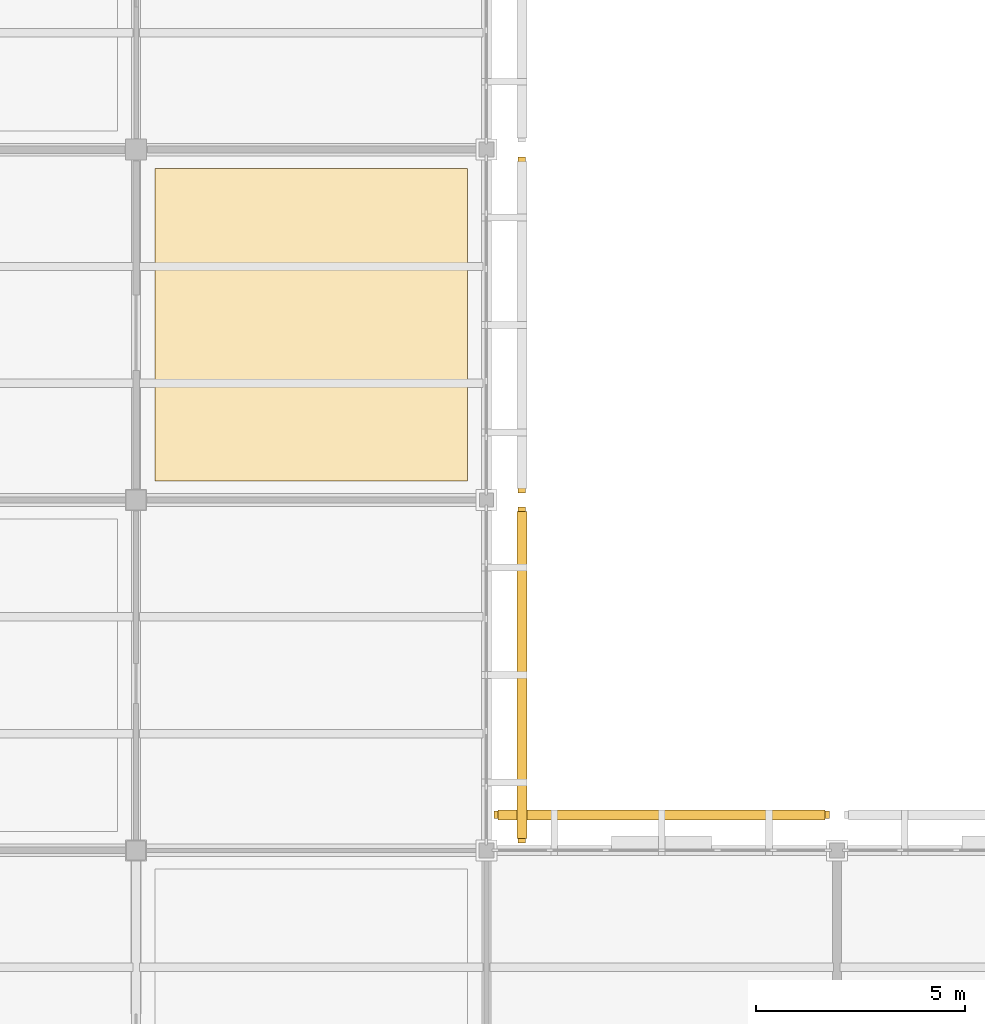
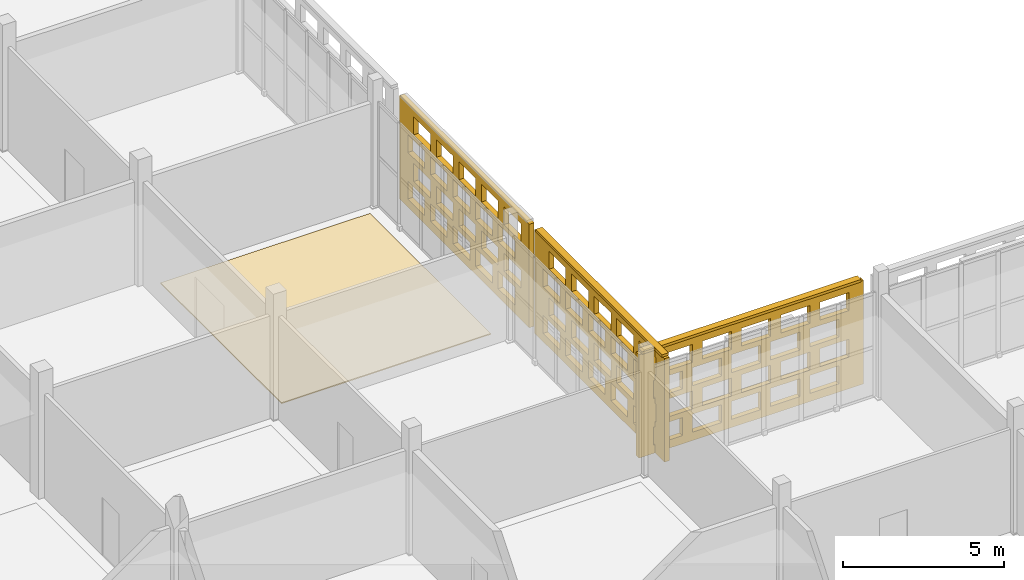
# One storey, part 147 of 203: 4 coverings, 2 shading devices, 60 openings.
"""IFC4 building model written with IfcOpenShell, lengths in metres."""

from ifc_helpers import new_model, si_unit, direction, frame, frame_2d, origin, origin_2d, place, context, subcontext, project, spatial, rectangle, extrude, material, layer, layer_set, type_object, element, save


model = new_model("IFC4")

# Units and contexts
model_context = context("Model", 3, precision=1e-05, world=origin(), true_north=direction((0.0, 1.0)))
body_context = subcontext(model_context, "Body", "Model", "MODEL_VIEW")
ifc_project = project(units=[si_unit("LENGTHUNIT", "METRE"), si_unit("AREAUNIT", "SQUARE_METRE"), si_unit("VOLUMEUNIT", "CUBIC_METRE"), si_unit("PLANEANGLEUNIT", "RADIAN"), si_unit("MASSUNIT", "GRAM", prefix="KILO")], contexts=[model_context])

# Site, building, storey
site_placement = place(None, origin())
site = spatial("IfcSite", under=ifc_project, at=site_placement, CompositionType="ELEMENT")
building_placement = place(site_placement, origin())
building = spatial("IfcBuilding", under=site, at=building_placement, Name="Varnapada Polytechnic", CompositionType="ELEMENT")
storey_placement = place(building_placement, frame((0.0, 0.0, 4.800048828125)))
storey = spatial("IfcBuildingStorey", under=building, at=storey_placement, Name="L01", CompositionType="ELEMENT", Elevation=4.800048828125)

# Covering
ifc_material_1 = material(Name="Acoustic Rubber Seminar Flooring")
ifc_layer_1 = layer(ifc_material_1, 0.0400390625)
ifc_layer_set_1 = layer_set([ifc_layer_1], Name="Acoustic Rubber Seminar Flooring")
covering_type_1 = type_object("IfcCoveringType", Name="Floor Finish FLR-06", PredefinedType="FLOORING", material=ifc_layer_set_1)
covering_1_placement = place(storey_placement, frame((37.800048828125, 63.0, 0.0), z_axis=(0.0, 0.0, 1.0), x_axis=(1.0, 0.0, 0.0)))
element("IfcCovering", 1, at=covering_1_placement, inside=storey, type_object=covering_type_1, Name="L01 floor finish panel (5,8)", PredefinedType="FLOORING", context=body_context, shape_type="SweptSolid", body=[
    extrude(rectangle(XDim=7.5, YDim=7.5, at=origin_2d()), origin(), (0.0, 0.0, 1.0), 0.0400390625),
])

# Covering, openings
ifc_material_2 = material(Name="Earth-toned architectural terracotta screen block", Category="masonry")
ifc_layer_2 = layer(ifc_material_2, 0.1201171875)
ifc_layer_set_2 = layer_set([ifc_layer_2], Name="Earth-toned architectural terracotta screen block")
covering_type_2 = type_object("IfcCoveringType", Name="Terracotta Screen Cladding CLD-01", PredefinedType="CLADDING", material=ifc_layer_set_2)
covering_2_placement = place(storey_placement, frame((42.85009765625, 58.6298828125, 0.0), z_axis=(0.0, 0.0, 1.0), x_axis=(0.0, -1.0, 0.0)))
covering_2 = element("IfcCovering", 2, at=covering_2_placement, inside=storey, type_object=covering_type_2, Name="L01 perforated terracotta block screen (31)", PredefinedType="CLADDING", context=body_context, shape_type="SweptSolid", body=[
    extrude(rectangle(XDim=8.0498046875, YDim=0.179931640625, at=frame_2d((4.02490234375, 0.0))), origin(), (0.0, 0.0, 1.0), 3.919921875),
])
opening_1_placement = place(covering_2_placement, frame((0.52490234375, 0.0, 0.313720703125)))
element("IfcOpeningElement", 3, at=opening_1_placement, cuts=covering_2, Name="Screen perforation TBS-L01-030.1", PredefinedType="OPENING", context=body_context, shape_type="SweptSolid", body=[
    extrude(rectangle(XDim=1.0400390625, YDim=0.679931640625, at=frame_2d((0.52001953125, 0.33984375))), frame((0.0, 0.099853515625, 0.0), z_axis=(0.0, -1.0, 0.0), x_axis=(1.0, 0.0, 0.0)), (0.0, 0.0, 1.0), 0.199951171875),
])
opening_2_placement = place(covering_2_placement, frame((1.925048828125, 0.0, 0.313720703125)))
element("IfcOpeningElement", 4, at=opening_2_placement, cuts=covering_2, Name="Screen perforation TBS-L01-030.2", PredefinedType="OPENING", context=body_context, shape_type="SweptSolid", body=[
    extrude(rectangle(XDim=1.0400390625, YDim=0.679931640625, at=frame_2d((0.52001953125, 0.33984375))), frame((0.0, 0.099853515625, 0.0), z_axis=(0.0, -1.0, 0.0), x_axis=(1.0, 0.0, 0.0)), (0.0, 0.0, 1.0), 0.199951171875),
])
opening_3_placement = place(covering_2_placement, frame((3.324951171875, 0.0, 0.313720703125)))
element("IfcOpeningElement", 5, at=opening_3_placement, cuts=covering_2, Name="Screen perforation TBS-L01-030.3", PredefinedType="OPENING", context=body_context, shape_type="SweptSolid", body=[
    extrude(rectangle(XDim=1.0400390625, YDim=0.679931640625, at=frame_2d((0.52001953125, 0.33984375))), frame((0.0, 0.099853515625, 0.0), z_axis=(0.0, -1.0, 0.0), x_axis=(1.0, 0.0, 0.0)), (0.0, 0.0, 1.0), 0.199951171875),
])
opening_4_placement = place(covering_2_placement, frame((4.72509765625, 0.0, 0.313720703125)))
element("IfcOpeningElement", 6, at=opening_4_placement, cuts=covering_2, Name="Screen perforation TBS-L01-030.4", PredefinedType="OPENING", context=body_context, shape_type="SweptSolid", body=[
    extrude(rectangle(XDim=1.0400390625, YDim=0.679931640625, at=frame_2d((0.52001953125, 0.33984375))), frame((0.0, 0.099853515625, 0.0), z_axis=(0.0, -1.0, 0.0), x_axis=(1.0, 0.0, 0.0)), (0.0, 0.0, 1.0), 0.199951171875),
])
opening_5_placement = place(covering_2_placement, frame((6.125, 0.0, 0.313720703125)))
element("IfcOpeningElement", 7, at=opening_5_placement, cuts=covering_2, Name="Screen perforation TBS-L01-030.5", PredefinedType="OPENING", context=body_context, shape_type="SweptSolid", body=[
    extrude(rectangle(XDim=1.0400390625, YDim=0.679931640625, at=frame_2d((0.52001953125, 0.33984375))), frame((0.0, 0.099853515625, 0.0), z_axis=(0.0, -1.0, 0.0), x_axis=(1.0, 0.0, 0.0)), (0.0, 0.0, 1.0), 0.199951171875),
])
opening_6_placement = place(covering_2_placement, frame((0.885009765625, 0.0, 1.195556640625)))
element("IfcOpeningElement", 8, at=opening_6_placement, cuts=covering_2, Name="Screen perforation TBS-L01-030.6", PredefinedType="OPENING", context=body_context, shape_type="SweptSolid", body=[
    extrude(rectangle(XDim=1.0400390625, YDim=0.679931640625, at=frame_2d((0.52001953125, 0.33984375))), frame((0.0, 0.099853515625, 0.0), z_axis=(0.0, -1.0, 0.0), x_axis=(1.0, 0.0, 0.0)), (0.0, 0.0, 1.0), 0.199951171875),
])
opening_7_placement = place(covering_2_placement, frame((2.284912109375, 0.0, 1.195556640625)))
element("IfcOpeningElement", 9, at=opening_7_placement, cuts=covering_2, Name="Screen perforation TBS-L01-030.7", PredefinedType="OPENING", context=body_context, shape_type="SweptSolid", body=[
    extrude(rectangle(XDim=1.0400390625, YDim=0.679931640625, at=frame_2d((0.52001953125, 0.33984375))), frame((0.0, 0.099853515625, 0.0), z_axis=(0.0, -1.0, 0.0), x_axis=(1.0, 0.0, 0.0)), (0.0, 0.0, 1.0), 0.199951171875),
])
opening_8_placement = place(covering_2_placement, frame((3.68505859375, 0.0, 1.195556640625)))
element("IfcOpeningElement", 10, at=opening_8_placement, cuts=covering_2, Name="Screen perforation TBS-L01-030.8", PredefinedType="OPENING", context=body_context, shape_type="SweptSolid", body=[
    extrude(rectangle(XDim=1.0400390625, YDim=0.679931640625, at=frame_2d((0.52001953125, 0.33984375))), frame((0.0, 0.099853515625, 0.0), z_axis=(0.0, -1.0, 0.0), x_axis=(1.0, 0.0, 0.0)), (0.0, 0.0, 1.0), 0.199951171875),
])
opening_9_placement = place(covering_2_placement, frame((5.0849609375, 0.0, 1.195556640625)))
element("IfcOpeningElement", 11, at=opening_9_placement, cuts=covering_2, Name="Screen perforation TBS-L01-030.9", PredefinedType="OPENING", context=body_context, shape_type="SweptSolid", body=[
    extrude(rectangle(XDim=1.0400390625, YDim=0.679931640625, at=frame_2d((0.52001953125, 0.33984375))), frame((0.0, 0.099853515625, 0.0), z_axis=(0.0, -1.0, 0.0), x_axis=(1.0, 0.0, 0.0)), (0.0, 0.0, 1.0), 0.199951171875),
])
opening_10_placement = place(covering_2_placement, frame((6.485107421875, 0.0, 1.195556640625)))
element("IfcOpeningElement", 12, at=opening_10_placement, cuts=covering_2, Name="Screen perforation TBS-L01-030.10", PredefinedType="OPENING", context=body_context, shape_type="SweptSolid", body=[
    extrude(rectangle(XDim=1.0400390625, YDim=0.679931640625, at=frame_2d((0.52001953125, 0.33984375))), frame((0.0, 0.099853515625, 0.0), z_axis=(0.0, -1.0, 0.0), x_axis=(1.0, 0.0, 0.0)), (0.0, 0.0, 1.0), 0.199951171875),
])
opening_11_placement = place(covering_2_placement, frame((0.52490234375, 0.0, 2.07763671875)))
element("IfcOpeningElement", 13, at=opening_11_placement, cuts=covering_2, Name="Screen perforation TBS-L01-030.11", PredefinedType="OPENING", context=body_context, shape_type="SweptSolid", body=[
    extrude(rectangle(XDim=1.0400390625, YDim=0.679931640625, at=frame_2d((0.52001953125, 0.33984375))), frame((0.0, 0.099853515625, 0.0), z_axis=(0.0, -1.0, 0.0), x_axis=(1.0, 0.0, 0.0)), (0.0, 0.0, 1.0), 0.199951171875),
])
opening_12_placement = place(covering_2_placement, frame((1.925048828125, 0.0, 2.07763671875)))
element("IfcOpeningElement", 14, at=opening_12_placement, cuts=covering_2, Name="Screen perforation TBS-L01-030.12", PredefinedType="OPENING", context=body_context, shape_type="SweptSolid", body=[
    extrude(rectangle(XDim=1.0400390625, YDim=0.679931640625, at=frame_2d((0.52001953125, 0.33984375))), frame((0.0, 0.099853515625, 0.0), z_axis=(0.0, -1.0, 0.0), x_axis=(1.0, 0.0, 0.0)), (0.0, 0.0, 1.0), 0.199951171875),
])
opening_13_placement = place(covering_2_placement, frame((3.324951171875, 0.0, 2.07763671875)))
element("IfcOpeningElement", 15, at=opening_13_placement, cuts=covering_2, Name="Screen perforation TBS-L01-030.13", PredefinedType="OPENING", context=body_context, shape_type="SweptSolid", body=[
    extrude(rectangle(XDim=1.0400390625, YDim=0.679931640625, at=frame_2d((0.52001953125, 0.33984375))), frame((0.0, 0.099853515625, 0.0), z_axis=(0.0, -1.0, 0.0), x_axis=(1.0, 0.0, 0.0)), (0.0, 0.0, 1.0), 0.199951171875),
])
opening_14_placement = place(covering_2_placement, frame((4.72509765625, 0.0, 2.07763671875)))
element("IfcOpeningElement", 16, at=opening_14_placement, cuts=covering_2, Name="Screen perforation TBS-L01-030.14", PredefinedType="OPENING", context=body_context, shape_type="SweptSolid", body=[
    extrude(rectangle(XDim=1.0400390625, YDim=0.679931640625, at=frame_2d((0.52001953125, 0.33984375))), frame((0.0, 0.099853515625, 0.0), z_axis=(0.0, -1.0, 0.0), x_axis=(1.0, 0.0, 0.0)), (0.0, 0.0, 1.0), 0.199951171875),
])
opening_15_placement = place(covering_2_placement, frame((6.125, 0.0, 2.07763671875)))
element("IfcOpeningElement", 17, at=opening_15_placement, cuts=covering_2, Name="Screen perforation TBS-L01-030.15", PredefinedType="OPENING", context=body_context, shape_type="SweptSolid", body=[
    extrude(rectangle(XDim=1.0400390625, YDim=0.679931640625, at=frame_2d((0.52001953125, 0.33984375))), frame((0.0, 0.099853515625, 0.0), z_axis=(0.0, -1.0, 0.0), x_axis=(1.0, 0.0, 0.0)), (0.0, 0.0, 1.0), 0.199951171875),
])
opening_16_placement = place(covering_2_placement, frame((0.885009765625, 0.0, 2.959716796875)))
element("IfcOpeningElement", 18, at=opening_16_placement, cuts=covering_2, Name="Screen perforation TBS-L01-030.16", PredefinedType="OPENING", context=body_context, shape_type="SweptSolid", body=[
    extrude(rectangle(XDim=1.0400390625, YDim=0.679931640625, at=frame_2d((0.52001953125, 0.33984375))), frame((0.0, 0.099853515625, 0.0), z_axis=(0.0, -1.0, 0.0), x_axis=(1.0, 0.0, 0.0)), (0.0, 0.0, 1.0), 0.199951171875),
])
opening_17_placement = place(covering_2_placement, frame((2.284912109375, 0.0, 2.959716796875)))
element("IfcOpeningElement", 19, at=opening_17_placement, cuts=covering_2, Name="Screen perforation TBS-L01-030.17", PredefinedType="OPENING", context=body_context, shape_type="SweptSolid", body=[
    extrude(rectangle(XDim=1.0400390625, YDim=0.679931640625, at=frame_2d((0.52001953125, 0.33984375))), frame((0.0, 0.099853515625, 0.0), z_axis=(0.0, -1.0, 0.0), x_axis=(1.0, 0.0, 0.0)), (0.0, 0.0, 1.0), 0.199951171875),
])
opening_18_placement = place(covering_2_placement, frame((3.68505859375, 0.0, 2.959716796875)))
element("IfcOpeningElement", 20, at=opening_18_placement, cuts=covering_2, Name="Screen perforation TBS-L01-030.18", PredefinedType="OPENING", context=body_context, shape_type="SweptSolid", body=[
    extrude(rectangle(XDim=1.0400390625, YDim=0.679931640625, at=frame_2d((0.52001953125, 0.33984375))), frame((0.0, 0.099853515625, 0.0), z_axis=(0.0, -1.0, 0.0), x_axis=(1.0, 0.0, 0.0)), (0.0, 0.0, 1.0), 0.199951171875),
])
opening_19_placement = place(covering_2_placement, frame((5.0849609375, 0.0, 2.959716796875)))
element("IfcOpeningElement", 21, at=opening_19_placement, cuts=covering_2, Name="Screen perforation TBS-L01-030.19", PredefinedType="OPENING", context=body_context, shape_type="SweptSolid", body=[
    extrude(rectangle(XDim=1.0400390625, YDim=0.679931640625, at=frame_2d((0.52001953125, 0.33984375))), frame((0.0, 0.099853515625, 0.0), z_axis=(0.0, -1.0, 0.0), x_axis=(1.0, 0.0, 0.0)), (0.0, 0.0, 1.0), 0.199951171875),
])
opening_20_placement = place(covering_2_placement, frame((6.485107421875, 0.0, 2.959716796875)))
element("IfcOpeningElement", 22, at=opening_20_placement, cuts=covering_2, Name="Screen perforation TBS-L01-030.20", PredefinedType="OPENING", context=body_context, shape_type="SweptSolid", body=[
    extrude(rectangle(XDim=1.0400390625, YDim=0.679931640625, at=frame_2d((0.52001953125, 0.33984375))), frame((0.0, 0.099853515625, 0.0), z_axis=(0.0, -1.0, 0.0), x_axis=(1.0, 0.0, 0.0)), (0.0, 0.0, 1.0), 0.199951171875),
])

covering_3_placement = place(storey_placement, frame((42.85009765625, 67.02001953125, 0.0), z_axis=(0.0, 0.0, 1.0), x_axis=(0.0, -1.0, 0.0)))
covering_3 = element("IfcCovering", 23, at=covering_3_placement, inside=storey, type_object=covering_type_2, Name="L01 perforated terracotta block screen (32)", PredefinedType="CLADDING", context=body_context, shape_type="SweptSolid", body=[
    extrude(rectangle(XDim=8.050048828125, YDim=0.179931640625, at=frame_2d((4.02490234375, 0.0))), origin(), (0.0, 0.0, 1.0), 3.919921875),
])
opening_21_placement = place(covering_3_placement, frame((0.52490234375, 0.0, 0.313720703125)))
element("IfcOpeningElement", 24, at=opening_21_placement, cuts=covering_3, Name="Screen perforation TBS-L01-031.1", PredefinedType="OPENING", context=body_context, shape_type="SweptSolid", body=[
    extrude(rectangle(XDim=1.0400390625, YDim=0.679931640625, at=frame_2d((0.52001953125, 0.33984375))), frame((0.0, 0.099853515625, 0.0), z_axis=(0.0, -1.0, 0.0), x_axis=(1.0, 0.0, 0.0)), (0.0, 0.0, 1.0), 0.199951171875),
])
opening_22_placement = place(covering_3_placement, frame((1.925048828125, 0.0, 0.313720703125)))
element("IfcOpeningElement", 25, at=opening_22_placement, cuts=covering_3, Name="Screen perforation TBS-L01-031.2", PredefinedType="OPENING", context=body_context, shape_type="SweptSolid", body=[
    extrude(rectangle(XDim=1.0400390625, YDim=0.679931640625, at=frame_2d((0.52001953125, 0.33984375))), frame((0.0, 0.099853515625, 0.0), z_axis=(0.0, -1.0, 0.0), x_axis=(1.0, 0.0, 0.0)), (0.0, 0.0, 1.0), 0.199951171875),
])
opening_23_placement = place(covering_3_placement, frame((3.324951171875, 0.0, 0.313720703125)))
element("IfcOpeningElement", 26, at=opening_23_placement, cuts=covering_3, Name="Screen perforation TBS-L01-031.3", PredefinedType="OPENING", context=body_context, shape_type="SweptSolid", body=[
    extrude(rectangle(XDim=1.0400390625, YDim=0.679931640625, at=frame_2d((0.52001953125, 0.33984375))), frame((0.0, 0.099853515625, 0.0), z_axis=(0.0, -1.0, 0.0), x_axis=(1.0, 0.0, 0.0)), (0.0, 0.0, 1.0), 0.199951171875),
])
opening_24_placement = place(covering_3_placement, frame((4.72509765625, 0.0, 0.313720703125)))
element("IfcOpeningElement", 27, at=opening_24_placement, cuts=covering_3, Name="Screen perforation TBS-L01-031.4", PredefinedType="OPENING", context=body_context, shape_type="SweptSolid", body=[
    extrude(rectangle(XDim=1.0400390625, YDim=0.679931640625, at=frame_2d((0.52001953125, 0.33984375))), frame((0.0, 0.099853515625, 0.0), z_axis=(0.0, -1.0, 0.0), x_axis=(1.0, 0.0, 0.0)), (0.0, 0.0, 1.0), 0.199951171875),
])
opening_25_placement = place(covering_3_placement, frame((6.125, 0.0, 0.313720703125)))
element("IfcOpeningElement", 28, at=opening_25_placement, cuts=covering_3, Name="Screen perforation TBS-L01-031.5", PredefinedType="OPENING", context=body_context, shape_type="SweptSolid", body=[
    extrude(rectangle(XDim=1.0400390625, YDim=0.679931640625, at=frame_2d((0.52001953125, 0.33984375))), frame((0.0, 0.099853515625, 0.0), z_axis=(0.0, -1.0, 0.0), x_axis=(1.0, 0.0, 0.0)), (0.0, 0.0, 1.0), 0.199951171875),
])
opening_26_placement = place(covering_3_placement, frame((0.885009765625, 0.0, 1.195556640625)))
element("IfcOpeningElement", 29, at=opening_26_placement, cuts=covering_3, Name="Screen perforation TBS-L01-031.6", PredefinedType="OPENING", context=body_context, shape_type="SweptSolid", body=[
    extrude(rectangle(XDim=1.0400390625, YDim=0.679931640625, at=frame_2d((0.52001953125, 0.33984375))), frame((0.0, 0.099853515625, 0.0), z_axis=(0.0, -1.0, 0.0), x_axis=(1.0, 0.0, 0.0)), (0.0, 0.0, 1.0), 0.199951171875),
])
opening_27_placement = place(covering_3_placement, frame((2.284912109375, 0.0, 1.195556640625)))
element("IfcOpeningElement", 30, at=opening_27_placement, cuts=covering_3, Name="Screen perforation TBS-L01-031.7", PredefinedType="OPENING", context=body_context, shape_type="SweptSolid", body=[
    extrude(rectangle(XDim=1.0400390625, YDim=0.679931640625, at=frame_2d((0.52001953125, 0.33984375))), frame((0.0, 0.099853515625, 0.0), z_axis=(0.0, -1.0, 0.0), x_axis=(1.0, 0.0, 0.0)), (0.0, 0.0, 1.0), 0.199951171875),
])
opening_28_placement = place(covering_3_placement, frame((3.68505859375, 0.0, 1.195556640625)))
element("IfcOpeningElement", 31, at=opening_28_placement, cuts=covering_3, Name="Screen perforation TBS-L01-031.8", PredefinedType="OPENING", context=body_context, shape_type="SweptSolid", body=[
    extrude(rectangle(XDim=1.0400390625, YDim=0.679931640625, at=frame_2d((0.52001953125, 0.33984375))), frame((0.0, 0.099853515625, 0.0), z_axis=(0.0, -1.0, 0.0), x_axis=(1.0, 0.0, 0.0)), (0.0, 0.0, 1.0), 0.199951171875),
])
opening_29_placement = place(covering_3_placement, frame((5.0849609375, 0.0, 1.195556640625)))
element("IfcOpeningElement", 32, at=opening_29_placement, cuts=covering_3, Name="Screen perforation TBS-L01-031.9", PredefinedType="OPENING", context=body_context, shape_type="SweptSolid", body=[
    extrude(rectangle(XDim=1.0400390625, YDim=0.679931640625, at=frame_2d((0.52001953125, 0.33984375))), frame((0.0, 0.099853515625, 0.0), z_axis=(0.0, -1.0, 0.0), x_axis=(1.0, 0.0, 0.0)), (0.0, 0.0, 1.0), 0.199951171875),
])
opening_30_placement = place(covering_3_placement, frame((6.485107421875, 0.0, 1.195556640625)))
element("IfcOpeningElement", 33, at=opening_30_placement, cuts=covering_3, Name="Screen perforation TBS-L01-031.10", PredefinedType="OPENING", context=body_context, shape_type="SweptSolid", body=[
    extrude(rectangle(XDim=1.0400390625, YDim=0.679931640625, at=frame_2d((0.52001953125, 0.33984375))), frame((0.0, 0.099853515625, 0.0), z_axis=(0.0, -1.0, 0.0), x_axis=(1.0, 0.0, 0.0)), (0.0, 0.0, 1.0), 0.199951171875),
])
opening_31_placement = place(covering_3_placement, frame((0.52490234375, 0.0, 2.07763671875)))
element("IfcOpeningElement", 34, at=opening_31_placement, cuts=covering_3, Name="Screen perforation TBS-L01-031.11", PredefinedType="OPENING", context=body_context, shape_type="SweptSolid", body=[
    extrude(rectangle(XDim=1.0400390625, YDim=0.679931640625, at=frame_2d((0.52001953125, 0.33984375))), frame((0.0, 0.099853515625, 0.0), z_axis=(0.0, -1.0, 0.0), x_axis=(1.0, 0.0, 0.0)), (0.0, 0.0, 1.0), 0.199951171875),
])
opening_32_placement = place(covering_3_placement, frame((1.925048828125, 0.0, 2.07763671875)))
element("IfcOpeningElement", 35, at=opening_32_placement, cuts=covering_3, Name="Screen perforation TBS-L01-031.12", PredefinedType="OPENING", context=body_context, shape_type="SweptSolid", body=[
    extrude(rectangle(XDim=1.0400390625, YDim=0.679931640625, at=frame_2d((0.52001953125, 0.33984375))), frame((0.0, 0.099853515625, 0.0), z_axis=(0.0, -1.0, 0.0), x_axis=(1.0, 0.0, 0.0)), (0.0, 0.0, 1.0), 0.199951171875),
])
opening_33_placement = place(covering_3_placement, frame((3.324951171875, 0.0, 2.07763671875)))
element("IfcOpeningElement", 36, at=opening_33_placement, cuts=covering_3, Name="Screen perforation TBS-L01-031.13", PredefinedType="OPENING", context=body_context, shape_type="SweptSolid", body=[
    extrude(rectangle(XDim=1.0400390625, YDim=0.679931640625, at=frame_2d((0.52001953125, 0.33984375))), frame((0.0, 0.099853515625, 0.0), z_axis=(0.0, -1.0, 0.0), x_axis=(1.0, 0.0, 0.0)), (0.0, 0.0, 1.0), 0.199951171875),
])
opening_34_placement = place(covering_3_placement, frame((4.72509765625, 0.0, 2.07763671875)))
element("IfcOpeningElement", 37, at=opening_34_placement, cuts=covering_3, Name="Screen perforation TBS-L01-031.14", PredefinedType="OPENING", context=body_context, shape_type="SweptSolid", body=[
    extrude(rectangle(XDim=1.0400390625, YDim=0.679931640625, at=frame_2d((0.52001953125, 0.33984375))), frame((0.0, 0.099853515625, 0.0), z_axis=(0.0, -1.0, 0.0), x_axis=(1.0, 0.0, 0.0)), (0.0, 0.0, 1.0), 0.199951171875),
])
opening_35_placement = place(covering_3_placement, frame((6.125, 0.0, 2.07763671875)))
element("IfcOpeningElement", 38, at=opening_35_placement, cuts=covering_3, Name="Screen perforation TBS-L01-031.15", PredefinedType="OPENING", context=body_context, shape_type="SweptSolid", body=[
    extrude(rectangle(XDim=1.0400390625, YDim=0.679931640625, at=frame_2d((0.52001953125, 0.33984375))), frame((0.0, 0.099853515625, 0.0), z_axis=(0.0, -1.0, 0.0), x_axis=(1.0, 0.0, 0.0)), (0.0, 0.0, 1.0), 0.199951171875),
])
opening_36_placement = place(covering_3_placement, frame((0.885009765625, 0.0, 2.959716796875)))
element("IfcOpeningElement", 39, at=opening_36_placement, cuts=covering_3, Name="Screen perforation TBS-L01-031.16", PredefinedType="OPENING", context=body_context, shape_type="SweptSolid", body=[
    extrude(rectangle(XDim=1.0400390625, YDim=0.679931640625, at=frame_2d((0.52001953125, 0.33984375))), frame((0.0, 0.099853515625, 0.0), z_axis=(0.0, -1.0, 0.0), x_axis=(1.0, 0.0, 0.0)), (0.0, 0.0, 1.0), 0.199951171875),
])
opening_37_placement = place(covering_3_placement, frame((2.284912109375, 0.0, 2.959716796875)))
element("IfcOpeningElement", 40, at=opening_37_placement, cuts=covering_3, Name="Screen perforation TBS-L01-031.17", PredefinedType="OPENING", context=body_context, shape_type="SweptSolid", body=[
    extrude(rectangle(XDim=1.0400390625, YDim=0.679931640625, at=frame_2d((0.52001953125, 0.33984375))), frame((0.0, 0.099853515625, 0.0), z_axis=(0.0, -1.0, 0.0), x_axis=(1.0, 0.0, 0.0)), (0.0, 0.0, 1.0), 0.199951171875),
])
opening_38_placement = place(covering_3_placement, frame((3.68505859375, 0.0, 2.959716796875)))
element("IfcOpeningElement", 41, at=opening_38_placement, cuts=covering_3, Name="Screen perforation TBS-L01-031.18", PredefinedType="OPENING", context=body_context, shape_type="SweptSolid", body=[
    extrude(rectangle(XDim=1.0400390625, YDim=0.679931640625, at=frame_2d((0.52001953125, 0.33984375))), frame((0.0, 0.099853515625, 0.0), z_axis=(0.0, -1.0, 0.0), x_axis=(1.0, 0.0, 0.0)), (0.0, 0.0, 1.0), 0.199951171875),
])
opening_39_placement = place(covering_3_placement, frame((5.0849609375, 0.0, 2.959716796875)))
element("IfcOpeningElement", 42, at=opening_39_placement, cuts=covering_3, Name="Screen perforation TBS-L01-031.19", PredefinedType="OPENING", context=body_context, shape_type="SweptSolid", body=[
    extrude(rectangle(XDim=1.0400390625, YDim=0.679931640625, at=frame_2d((0.52001953125, 0.33984375))), frame((0.0, 0.099853515625, 0.0), z_axis=(0.0, -1.0, 0.0), x_axis=(1.0, 0.0, 0.0)), (0.0, 0.0, 1.0), 0.199951171875),
])
opening_40_placement = place(covering_3_placement, frame((6.485107421875, 0.0, 2.959716796875)))
element("IfcOpeningElement", 43, at=opening_40_placement, cuts=covering_3, Name="Screen perforation TBS-L01-031.20", PredefinedType="OPENING", context=body_context, shape_type="SweptSolid", body=[
    extrude(rectangle(XDim=1.0400390625, YDim=0.679931640625, at=frame_2d((0.52001953125, 0.33984375))), frame((0.0, 0.099853515625, 0.0), z_axis=(0.0, -1.0, 0.0), x_axis=(1.0, 0.0, 0.0)), (0.0, 0.0, 1.0), 0.199951171875),
])

covering_4_placement = place(storey_placement, frame((42.179931640625, 51.25, 0.0), z_axis=(0.0, 0.0, 1.0), x_axis=(1.0, 0.0, 0.0)))
covering_4 = element("IfcCovering", 44, at=covering_4_placement, inside=storey, type_object=covering_type_2, Name="L01 perforated terracotta block screen (40)", PredefinedType="CLADDING", context=body_context, shape_type="SweptSolid", body=[
    extrude(rectangle(XDim=8.0400390625, YDim=0.179931640625, at=frame_2d((4.02001953125, 0.0))), origin(), (0.0, 0.0, 1.0), 3.919921875),
])
opening_41_placement = place(covering_4_placement, frame((0.52001953125, 0.0, 0.313720703125)))
element("IfcOpeningElement", 45, at=opening_41_placement, cuts=covering_4, Name="Screen perforation TBS-L01-039.1", PredefinedType="OPENING", context=body_context, shape_type="SweptSolid", body=[
    extrude(rectangle(XDim=1.0400390625, YDim=0.679931640625, at=frame_2d((0.52001953125, 0.33984375))), frame((0.0, 0.099853515625, 0.0), z_axis=(0.0, -1.0, 0.0), x_axis=(1.0, 0.0, 0.0)), (0.0, 0.0, 1.0), 0.199951171875),
])
opening_42_placement = place(covering_4_placement, frame((1.919921875, 0.0, 0.313720703125)))
element("IfcOpeningElement", 46, at=opening_42_placement, cuts=covering_4, Name="Screen perforation TBS-L01-039.2", PredefinedType="OPENING", context=body_context, shape_type="SweptSolid", body=[
    extrude(rectangle(XDim=1.0400390625, YDim=0.679931640625, at=frame_2d((0.52001953125, 0.33984375))), frame((0.0, 0.099853515625, 0.0), z_axis=(0.0, -1.0, 0.0), x_axis=(1.0, 0.0, 0.0)), (0.0, 0.0, 1.0), 0.199951171875),
])
opening_43_placement = place(covering_4_placement, frame((3.320068359375, 0.0, 0.313720703125)))
element("IfcOpeningElement", 47, at=opening_43_placement, cuts=covering_4, Name="Screen perforation TBS-L01-039.3", PredefinedType="OPENING", context=body_context, shape_type="SweptSolid", body=[
    extrude(rectangle(XDim=1.0400390625, YDim=0.679931640625, at=frame_2d((0.52001953125, 0.33984375))), frame((0.0, 0.099853515625, 0.0), z_axis=(0.0, -1.0, 0.0), x_axis=(1.0, 0.0, 0.0)), (0.0, 0.0, 1.0), 0.199951171875),
])
opening_44_placement = place(covering_4_placement, frame((4.719970703125, 0.0, 0.313720703125)))
element("IfcOpeningElement", 48, at=opening_44_placement, cuts=covering_4, Name="Screen perforation TBS-L01-039.4", PredefinedType="OPENING", context=body_context, shape_type="SweptSolid", body=[
    extrude(rectangle(XDim=1.0400390625, YDim=0.679931640625, at=frame_2d((0.52001953125, 0.33984375))), frame((0.0, 0.099853515625, 0.0), z_axis=(0.0, -1.0, 0.0), x_axis=(1.0, 0.0, 0.0)), (0.0, 0.0, 1.0), 0.199951171875),
])
opening_45_placement = place(covering_4_placement, frame((6.1201171875, 0.0, 0.313720703125)))
element("IfcOpeningElement", 49, at=opening_45_placement, cuts=covering_4, Name="Screen perforation TBS-L01-039.5", PredefinedType="OPENING", context=body_context, shape_type="SweptSolid", body=[
    extrude(rectangle(XDim=1.0400390625, YDim=0.679931640625, at=frame_2d((0.52001953125, 0.33984375))), frame((0.0, 0.099853515625, 0.0), z_axis=(0.0, -1.0, 0.0), x_axis=(1.0, 0.0, 0.0)), (0.0, 0.0, 1.0), 0.199951171875),
])
opening_46_placement = place(covering_4_placement, frame((0.8798828125, 0.0, 1.195556640625)))
element("IfcOpeningElement", 50, at=opening_46_placement, cuts=covering_4, Name="Screen perforation TBS-L01-039.6", PredefinedType="OPENING", context=body_context, shape_type="SweptSolid", body=[
    extrude(rectangle(XDim=1.0400390625, YDim=0.679931640625, at=frame_2d((0.52001953125, 0.33984375))), frame((0.0, 0.099853515625, 0.0), z_axis=(0.0, -1.0, 0.0), x_axis=(1.0, 0.0, 0.0)), (0.0, 0.0, 1.0), 0.199951171875),
])
opening_47_placement = place(covering_4_placement, frame((2.280029296875, 0.0, 1.195556640625)))
element("IfcOpeningElement", 51, at=opening_47_placement, cuts=covering_4, Name="Screen perforation TBS-L01-039.7", PredefinedType="OPENING", context=body_context, shape_type="SweptSolid", body=[
    extrude(rectangle(XDim=1.0400390625, YDim=0.679931640625, at=frame_2d((0.52001953125, 0.33984375))), frame((0.0, 0.099853515625, 0.0), z_axis=(0.0, -1.0, 0.0), x_axis=(1.0, 0.0, 0.0)), (0.0, 0.0, 1.0), 0.199951171875),
])
opening_48_placement = place(covering_4_placement, frame((3.679931640625, 0.0, 1.195556640625)))
element("IfcOpeningElement", 52, at=opening_48_placement, cuts=covering_4, Name="Screen perforation TBS-L01-039.8", PredefinedType="OPENING", context=body_context, shape_type="SweptSolid", body=[
    extrude(rectangle(XDim=1.0400390625, YDim=0.679931640625, at=frame_2d((0.52001953125, 0.33984375))), frame((0.0, 0.099853515625, 0.0), z_axis=(0.0, -1.0, 0.0), x_axis=(1.0, 0.0, 0.0)), (0.0, 0.0, 1.0), 0.199951171875),
])
opening_49_placement = place(covering_4_placement, frame((5.080078125, 0.0, 1.195556640625)))
element("IfcOpeningElement", 53, at=opening_49_placement, cuts=covering_4, Name="Screen perforation TBS-L01-039.9", PredefinedType="OPENING", context=body_context, shape_type="SweptSolid", body=[
    extrude(rectangle(XDim=1.0400390625, YDim=0.679931640625, at=frame_2d((0.52001953125, 0.33984375))), frame((0.0, 0.099853515625, 0.0), z_axis=(0.0, -1.0, 0.0), x_axis=(1.0, 0.0, 0.0)), (0.0, 0.0, 1.0), 0.199951171875),
])
opening_50_placement = place(covering_4_placement, frame((6.47998046875, 0.0, 1.195556640625)))
element("IfcOpeningElement", 54, at=opening_50_placement, cuts=covering_4, Name="Screen perforation TBS-L01-039.10", PredefinedType="OPENING", context=body_context, shape_type="SweptSolid", body=[
    extrude(rectangle(XDim=1.0400390625, YDim=0.679931640625, at=frame_2d((0.52001953125, 0.33984375))), frame((0.0, 0.099853515625, 0.0), z_axis=(0.0, -1.0, 0.0), x_axis=(1.0, 0.0, 0.0)), (0.0, 0.0, 1.0), 0.199951171875),
])
opening_51_placement = place(covering_4_placement, frame((0.52001953125, 0.0, 2.07763671875)))
element("IfcOpeningElement", 55, at=opening_51_placement, cuts=covering_4, Name="Screen perforation TBS-L01-039.11", PredefinedType="OPENING", context=body_context, shape_type="SweptSolid", body=[
    extrude(rectangle(XDim=1.0400390625, YDim=0.679931640625, at=frame_2d((0.52001953125, 0.33984375))), frame((0.0, 0.099853515625, 0.0), z_axis=(0.0, -1.0, 0.0), x_axis=(1.0, 0.0, 0.0)), (0.0, 0.0, 1.0), 0.199951171875),
])
opening_52_placement = place(covering_4_placement, frame((1.919921875, 0.0, 2.07763671875)))
element("IfcOpeningElement", 56, at=opening_52_placement, cuts=covering_4, Name="Screen perforation TBS-L01-039.12", PredefinedType="OPENING", context=body_context, shape_type="SweptSolid", body=[
    extrude(rectangle(XDim=1.0400390625, YDim=0.679931640625, at=frame_2d((0.52001953125, 0.33984375))), frame((0.0, 0.099853515625, 0.0), z_axis=(0.0, -1.0, 0.0), x_axis=(1.0, 0.0, 0.0)), (0.0, 0.0, 1.0), 0.199951171875),
])
opening_53_placement = place(covering_4_placement, frame((3.320068359375, 0.0, 2.07763671875)))
element("IfcOpeningElement", 57, at=opening_53_placement, cuts=covering_4, Name="Screen perforation TBS-L01-039.13", PredefinedType="OPENING", context=body_context, shape_type="SweptSolid", body=[
    extrude(rectangle(XDim=1.0400390625, YDim=0.679931640625, at=frame_2d((0.52001953125, 0.33984375))), frame((0.0, 0.099853515625, 0.0), z_axis=(0.0, -1.0, 0.0), x_axis=(1.0, 0.0, 0.0)), (0.0, 0.0, 1.0), 0.199951171875),
])
opening_54_placement = place(covering_4_placement, frame((4.719970703125, 0.0, 2.07763671875)))
element("IfcOpeningElement", 58, at=opening_54_placement, cuts=covering_4, Name="Screen perforation TBS-L01-039.14", PredefinedType="OPENING", context=body_context, shape_type="SweptSolid", body=[
    extrude(rectangle(XDim=1.0400390625, YDim=0.679931640625, at=frame_2d((0.52001953125, 0.33984375))), frame((0.0, 0.099853515625, 0.0), z_axis=(0.0, -1.0, 0.0), x_axis=(1.0, 0.0, 0.0)), (0.0, 0.0, 1.0), 0.199951171875),
])
opening_55_placement = place(covering_4_placement, frame((6.1201171875, 0.0, 2.07763671875)))
element("IfcOpeningElement", 59, at=opening_55_placement, cuts=covering_4, Name="Screen perforation TBS-L01-039.15", PredefinedType="OPENING", context=body_context, shape_type="SweptSolid", body=[
    extrude(rectangle(XDim=1.0400390625, YDim=0.679931640625, at=frame_2d((0.52001953125, 0.33984375))), frame((0.0, 0.099853515625, 0.0), z_axis=(0.0, -1.0, 0.0), x_axis=(1.0, 0.0, 0.0)), (0.0, 0.0, 1.0), 0.199951171875),
])
opening_56_placement = place(covering_4_placement, frame((0.8798828125, 0.0, 2.959716796875)))
element("IfcOpeningElement", 60, at=opening_56_placement, cuts=covering_4, Name="Screen perforation TBS-L01-039.16", PredefinedType="OPENING", context=body_context, shape_type="SweptSolid", body=[
    extrude(rectangle(XDim=1.0400390625, YDim=0.679931640625, at=frame_2d((0.52001953125, 0.33984375))), frame((0.0, 0.099853515625, 0.0), z_axis=(0.0, -1.0, 0.0), x_axis=(1.0, 0.0, 0.0)), (0.0, 0.0, 1.0), 0.199951171875),
])
opening_57_placement = place(covering_4_placement, frame((2.280029296875, 0.0, 2.959716796875)))
element("IfcOpeningElement", 61, at=opening_57_placement, cuts=covering_4, Name="Screen perforation TBS-L01-039.17", PredefinedType="OPENING", context=body_context, shape_type="SweptSolid", body=[
    extrude(rectangle(XDim=1.0400390625, YDim=0.679931640625, at=frame_2d((0.52001953125, 0.33984375))), frame((0.0, 0.099853515625, 0.0), z_axis=(0.0, -1.0, 0.0), x_axis=(1.0, 0.0, 0.0)), (0.0, 0.0, 1.0), 0.199951171875),
])
opening_58_placement = place(covering_4_placement, frame((3.679931640625, 0.0, 2.959716796875)))
element("IfcOpeningElement", 62, at=opening_58_placement, cuts=covering_4, Name="Screen perforation TBS-L01-039.18", PredefinedType="OPENING", context=body_context, shape_type="SweptSolid", body=[
    extrude(rectangle(XDim=1.0400390625, YDim=0.679931640625, at=frame_2d((0.52001953125, 0.33984375))), frame((0.0, 0.099853515625, 0.0), z_axis=(0.0, -1.0, 0.0), x_axis=(1.0, 0.0, 0.0)), (0.0, 0.0, 1.0), 0.199951171875),
])
opening_59_placement = place(covering_4_placement, frame((5.080078125, 0.0, 2.959716796875)))
element("IfcOpeningElement", 63, at=opening_59_placement, cuts=covering_4, Name="Screen perforation TBS-L01-039.19", PredefinedType="OPENING", context=body_context, shape_type="SweptSolid", body=[
    extrude(rectangle(XDim=1.0400390625, YDim=0.679931640625, at=frame_2d((0.52001953125, 0.33984375))), frame((0.0, 0.099853515625, 0.0), z_axis=(0.0, -1.0, 0.0), x_axis=(1.0, 0.0, 0.0)), (0.0, 0.0, 1.0), 0.199951171875),
])
opening_60_placement = place(covering_4_placement, frame((6.47998046875, 0.0, 2.959716796875)))
element("IfcOpeningElement", 64, at=opening_60_placement, cuts=covering_4, Name="Screen perforation TBS-L01-039.20", PredefinedType="OPENING", context=body_context, shape_type="SweptSolid", body=[
    extrude(rectangle(XDim=1.0400390625, YDim=0.679931640625, at=frame_2d((0.52001953125, 0.33984375))), frame((0.0, 0.099853515625, 0.0), z_axis=(0.0, -1.0, 0.0), x_axis=(1.0, 0.0, 0.0)), (0.0, 0.0, 1.0), 0.199951171875),
])

# Shading devices
ifc_layer_3 = layer(ifc_material_2, 0.179931640625)
ifc_layer_set_3 = layer_set([ifc_layer_3], Name="Earth-toned architectural terracotta screen block")
shading_device_type = type_object("IfcShadingDeviceType", Name="Terracotta Screen SCR-02", PredefinedType="USERDEFINED", material=ifc_layer_set_3)
shading_device_1_placement = place(storey_placement, frame((42.85009765625, 54.60498046875, 3.909912109375), z_axis=(0.0, 0.0, 1.0), x_axis=(0.0, -1.0, 0.0)))
element("IfcShadingDevice", 65, at=shading_device_1_placement, inside=storey, type_object=shading_device_type, Name="L01 perforated terracotta screen hood 112", ObjectType="SCREEN", PredefinedType="USERDEFINED", context=body_context, shape_type="SweptSolid", body=[
    extrude(rectangle(XDim=7.85009765625, YDim=0.239990234375, at=origin_2d()), origin(), (0.0, 0.0, 1.0), 0.10009765625),
])
shading_device_2_placement = place(storey_placement, frame((46.199951171875, 51.25, 3.909912109375), z_axis=(0.0, 0.0, 1.0), x_axis=(1.0, 0.0, 0.0)))
element("IfcShadingDevice", 66, at=shading_device_2_placement, inside=storey, type_object=shading_device_type, Name="L01 perforated terracotta screen hood 121", ObjectType="SCREEN", PredefinedType="USERDEFINED", context=body_context, shape_type="SweptSolid", body=[
    extrude(rectangle(XDim=7.840087890625, YDim=0.239990234375, at=origin_2d()), origin(), (0.0, 0.0, 1.0), 0.10009765625),
])

save(model, "model.ifc")
